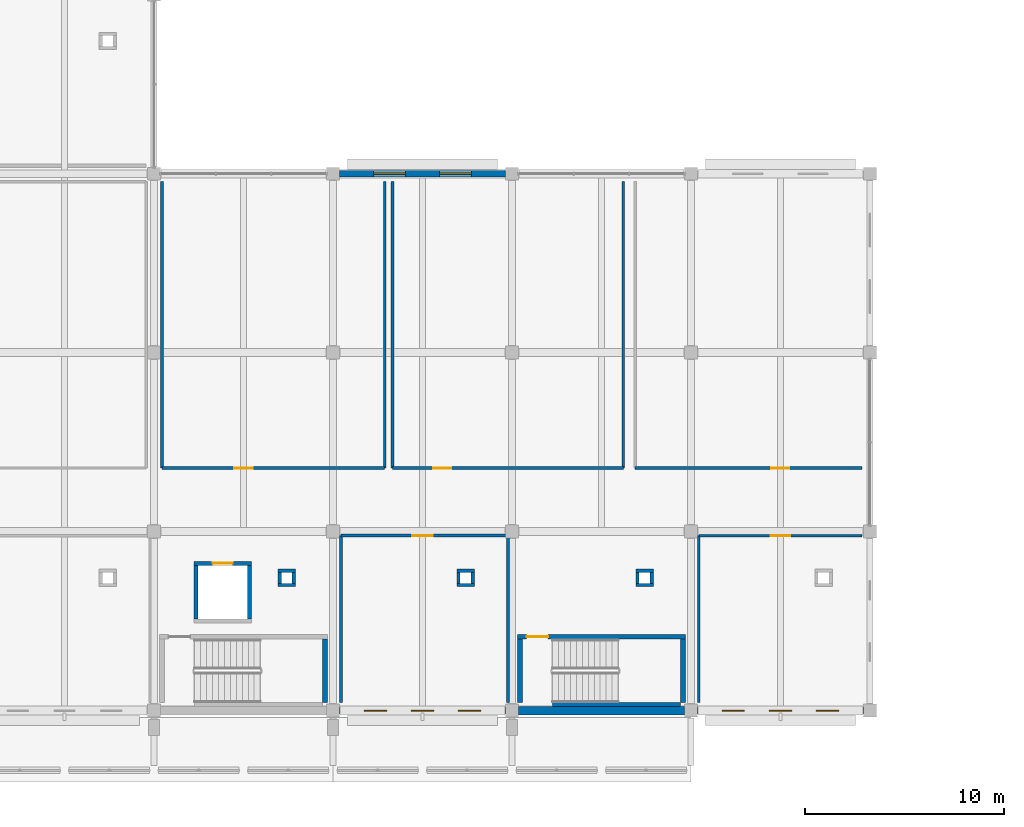
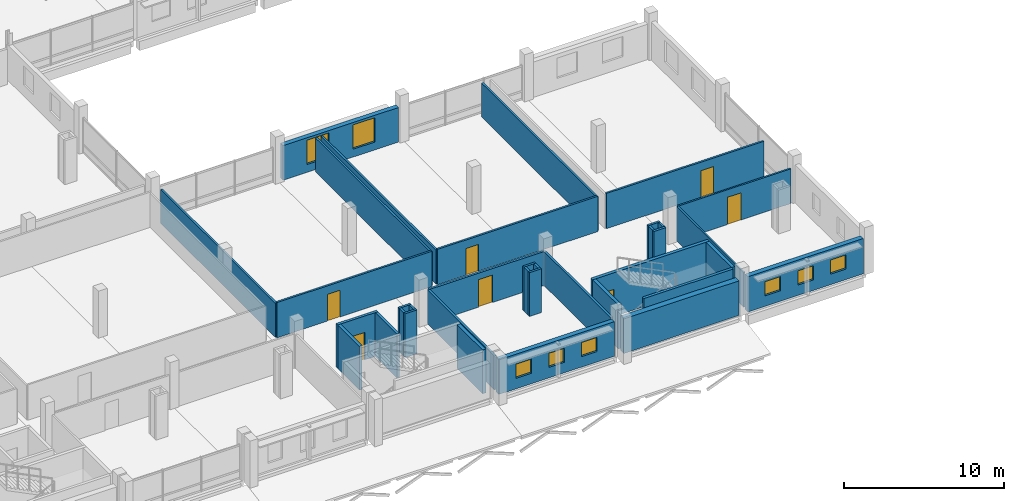
# One storey, part 104 of 132: 36 walls, 8 windows, 7 doors, 15 openings.
"""IFC4 building model written with IfcOpenShell, lengths in metres."""

from ifc_helpers import new_model, si_unit, direction, frame, frame_2d, origin, place, context, subcontext, project, spatial, rectangle, extrude, material, layer, layer_set, type_object, element, fill, save


model = new_model("IFC4")

# Units and contexts
model_context = context("Model", 3, precision=1e-05, world=origin(), true_north=direction((0.0, 1.0)))
body_context = subcontext(model_context, "Body", "Model", "MODEL_VIEW")
ifc_project = project(units=[si_unit("LENGTHUNIT", "METRE"), si_unit("AREAUNIT", "SQUARE_METRE"), si_unit("VOLUMEUNIT", "CUBIC_METRE"), si_unit("PLANEANGLEUNIT", "RADIAN"), si_unit("MASSUNIT", "GRAM", prefix="KILO")], contexts=[model_context])

# Site, building, storey
site_placement = place(None, origin())
site = spatial("IfcSite", under=ifc_project, at=site_placement, CompositionType="ELEMENT")
building_placement = place(site_placement, origin())
building = spatial("IfcBuilding", under=site, at=building_placement, Name="Tharagai Park Tramway Depot", CompositionType="ELEMENT")
storey_placement = place(building_placement, frame((0.0, 0.0, 4.800048828125)))
storey = spatial("IfcBuildingStorey", under=building, at=storey_placement, Name="L01", CompositionType="ELEMENT", Elevation=4.800048828125)

# Wall, openings, windows
ifc_material_1 = material(Name="Pressed clay brick", Category="masonry")
ifc_layer_1 = layer(ifc_material_1, 0.340087890625)
ifc_layer_set_1 = layer_set([ifc_layer_1], Name="Pressed clay brick")
wall_type_1 = type_object("IfcWallType", Name="EW-04", PredefinedType="SOLIDWALL", material=ifc_layer_set_1)
wall_1_placement = place(storey_placement, frame((72.322998046875, 0.0, 0.0), z_axis=(0.0, 0.0, 1.0), x_axis=(1.0, 0.0, 0.0)))
wall_1 = element("IfcWall", 1, at=wall_1_placement, inside=storey, type_object=wall_type_1, Name="L01 V4 Exterior Masonry Wall EW-04", PredefinedType="SOLIDWALL", context=body_context, shape_type="SweptSolid", body=[
    extrude(rectangle(XDim=8.35400390625, YDim=0.340087890625, at=frame_2d((4.177001953125, 0.0))), origin(), (0.0, 0.0, 1.0), 2.641845703125),
])
opening_1_placement = place(wall_1_placement, frame((1.2490234375, 0.0, 0.800048828125)))
opening_1 = element("IfcOpeningElement", 2, at=opening_1_placement, cuts=wall_1, Name="Opening WN-24", PredefinedType="OPENING", context=body_context, shape_type="SweptSolid", body=[
    extrude(rectangle(XDim=1.1201171875, YDim=1.080078125, at=frame_2d((0.56005859375, 0.5400390625))), frame((0.0, 0.179931640625, 0.0), z_axis=(0.0, -1.0, 0.0), x_axis=(1.0, 0.0, 0.0)), (0.0, 0.0, 1.0), 0.360107421875),
])
opening_2_placement = place(wall_1_placement, frame((3.616943359375, 0.0, 0.800048828125)))
opening_2 = element("IfcOpeningElement", 3, at=opening_2_placement, cuts=wall_1, Name="Opening WN-24", PredefinedType="OPENING", context=body_context, shape_type="SweptSolid", body=[
    extrude(rectangle(XDim=1.1201171875, YDim=1.080078125, at=frame_2d((0.56005859375, 0.5400390625))), frame((0.0, 0.179931640625, 0.0), z_axis=(0.0, -1.0, 0.0), x_axis=(1.0, 0.0, 0.0)), (0.0, 0.0, 1.0), 0.360107421875),
])
opening_3_placement = place(wall_1_placement, frame((5.986083984375, 0.0, 0.800048828125)))
opening_3 = element("IfcOpeningElement", 4, at=opening_3_placement, cuts=wall_1, Name="Opening WN-24", PredefinedType="OPENING", context=body_context, shape_type="SweptSolid", body=[
    extrude(rectangle(XDim=1.1201171875, YDim=1.080078125, at=frame_2d((0.56005859375, 0.5400390625))), frame((0.0, 0.179931640625, 0.0), z_axis=(0.0, -1.0, 0.0), x_axis=(1.0, 0.0, 0.0)), (0.0, 0.0, 1.0), 0.360107421875),
])
ifc_material_2 = material(Name="Laminated solar-control glass", Category="glass")
window_type_1 = type_object("IfcWindowType", Name="WN-24", PartitioningType="SINGLE_PANEL", PredefinedType="WINDOW", material=ifc_material_2)
window_1_placement = place(opening_1_placement, origin())
window_1 = element("IfcWindow", 5, at=window_1_placement, inside=storey, type_object=window_type_1, Name="L01 V4 Gothic Lancet Window WN-24", OverallHeight=1.080078125, OverallWidth=1.1201171875, PartitioningType="SINGLE_PANEL", PredefinedType="WINDOW", context=body_context, shape_type="SweptSolid", body=[
    extrude(rectangle(XDim=1.1201171875, YDim=1.080078125, at=frame_2d((0.56005859375, 0.5400390625))), frame((0.0, 0.030029296875, 0.0), z_axis=(0.0, -1.0, 0.0), x_axis=(1.0, 0.0, 0.0)), (0.0, 0.0, 1.0), 0.06005859375),
])
fill(opening_1, window_1)
window_2_placement = place(opening_2_placement, origin())
window_2 = element("IfcWindow", 6, at=window_2_placement, inside=storey, type_object=window_type_1, Name="L01 V4 Gothic Lancet Window WN-24", OverallHeight=1.080078125, OverallWidth=1.1201171875, PartitioningType="SINGLE_PANEL", PredefinedType="WINDOW", context=body_context, shape_type="SweptSolid", body=[
    extrude(rectangle(XDim=1.1201171875, YDim=1.080078125, at=frame_2d((0.56005859375, 0.5400390625))), frame((0.0, 0.030029296875, 0.0), z_axis=(0.0, -1.0, 0.0), x_axis=(1.0, 0.0, 0.0)), (0.0, 0.0, 1.0), 0.06005859375),
])
fill(opening_2, window_2)
window_3_placement = place(opening_3_placement, origin())
window_3 = element("IfcWindow", 7, at=window_3_placement, inside=storey, type_object=window_type_1, Name="L01 V4 Gothic Lancet Window WN-24", OverallHeight=1.080078125, OverallWidth=1.1201171875, PartitioningType="SINGLE_PANEL", PredefinedType="WINDOW", context=body_context, shape_type="SweptSolid", body=[
    extrude(rectangle(XDim=1.1201171875, YDim=1.080078125, at=frame_2d((0.56005859375, 0.5400390625))), frame((0.0, 0.030029296875, 0.0), z_axis=(0.0, -1.0, 0.0), x_axis=(1.0, 0.0, 0.0)), (0.0, 0.0, 1.0), 0.06005859375),
])
fill(opening_3, window_3)

wall_2_placement = place(storey_placement, frame((90.322998046875, 0.0, 0.0), z_axis=(0.0, 0.0, 1.0), x_axis=(1.0, 0.0, 0.0)))
wall_2 = element("IfcWall", 8, at=wall_2_placement, inside=storey, type_object=wall_type_1, Name="L01 V4 Exterior Masonry Wall EW-04", PredefinedType="SOLIDWALL", context=body_context, shape_type="SweptSolid", body=[
    extrude(rectangle(XDim=8.35400390625, YDim=0.340087890625, at=frame_2d((4.177001953125, 0.0))), origin(), (0.0, 0.0, 1.0), 2.701904296875),
])
opening_4_placement = place(wall_2_placement, frame((1.2490234375, 0.0, 0.800048828125)))
opening_4 = element("IfcOpeningElement", 9, at=opening_4_placement, cuts=wall_2, Name="Opening WN-24", PredefinedType="OPENING", context=body_context, shape_type="SweptSolid", body=[
    extrude(rectangle(XDim=1.1201171875, YDim=1.080078125, at=frame_2d((0.56005859375, 0.5400390625))), frame((0.0, 0.179931640625, 0.0), z_axis=(0.0, -1.0, 0.0), x_axis=(1.0, 0.0, 0.0)), (0.0, 0.0, 1.0), 0.360107421875),
])
opening_5_placement = place(wall_2_placement, frame((3.616943359375, 0.0, 0.800048828125)))
opening_5 = element("IfcOpeningElement", 10, at=opening_5_placement, cuts=wall_2, Name="Opening WN-24", PredefinedType="OPENING", context=body_context, shape_type="SweptSolid", body=[
    extrude(rectangle(XDim=1.1201171875, YDim=1.080078125, at=frame_2d((0.56005859375, 0.5400390625))), frame((0.0, 0.179931640625, 0.0), z_axis=(0.0, -1.0, 0.0), x_axis=(1.0, 0.0, 0.0)), (0.0, 0.0, 1.0), 0.360107421875),
])
opening_6_placement = place(wall_2_placement, frame((5.986083984375, 0.0, 0.800048828125)))
opening_6 = element("IfcOpeningElement", 11, at=opening_6_placement, cuts=wall_2, Name="Opening WN-24", PredefinedType="OPENING", context=body_context, shape_type="SweptSolid", body=[
    extrude(rectangle(XDim=1.1201171875, YDim=1.080078125, at=frame_2d((0.56005859375, 0.5400390625))), frame((0.0, 0.179931640625, 0.0), z_axis=(0.0, -1.0, 0.0), x_axis=(1.0, 0.0, 0.0)), (0.0, 0.0, 1.0), 0.360107421875),
])
window_4_placement = place(opening_4_placement, origin())
window_4 = element("IfcWindow", 12, at=window_4_placement, inside=storey, type_object=window_type_1, Name="L01 V4 Gothic Lancet Window WN-24", OverallHeight=1.080078125, OverallWidth=1.1201171875, PartitioningType="SINGLE_PANEL", PredefinedType="WINDOW", context=body_context, shape_type="SweptSolid", body=[
    extrude(rectangle(XDim=1.1201171875, YDim=1.080078125, at=frame_2d((0.56005859375, 0.5400390625))), frame((0.0, 0.030029296875, 0.0), z_axis=(0.0, -1.0, 0.0), x_axis=(1.0, 0.0, 0.0)), (0.0, 0.0, 1.0), 0.06005859375),
])
fill(opening_4, window_4)
window_5_placement = place(opening_5_placement, origin())
window_5 = element("IfcWindow", 13, at=window_5_placement, inside=storey, type_object=window_type_1, Name="L01 V4 Gothic Lancet Window WN-24", OverallHeight=1.080078125, OverallWidth=1.1201171875, PartitioningType="SINGLE_PANEL", PredefinedType="WINDOW", context=body_context, shape_type="SweptSolid", body=[
    extrude(rectangle(XDim=1.1201171875, YDim=1.080078125, at=frame_2d((0.56005859375, 0.5400390625))), frame((0.0, 0.030029296875, 0.0), z_axis=(0.0, -1.0, 0.0), x_axis=(1.0, 0.0, 0.0)), (0.0, 0.0, 1.0), 0.06005859375),
])
fill(opening_5, window_5)
window_6_placement = place(opening_6_placement, origin())
window_6 = element("IfcWindow", 14, at=window_6_placement, inside=storey, type_object=window_type_1, Name="L01 V4 Gothic Lancet Window WN-24", OverallHeight=1.080078125, OverallWidth=1.1201171875, PartitioningType="SINGLE_PANEL", PredefinedType="WINDOW", context=body_context, shape_type="SweptSolid", body=[
    extrude(rectangle(XDim=1.1201171875, YDim=1.080078125, at=frame_2d((0.56005859375, 0.5400390625))), frame((0.0, 0.030029296875, 0.0), z_axis=(0.0, -1.0, 0.0), x_axis=(1.0, 0.0, 0.0)), (0.0, 0.0, 1.0), 0.06005859375),
])
fill(opening_6, window_6)

wall_3_placement = place(storey_placement, frame((72.322998046875, 27.0, 0.0), z_axis=(0.0, 0.0, 1.0), x_axis=(1.0, 0.0, 0.0)))
wall_3 = element("IfcWall", 15, at=wall_3_placement, inside=storey, type_object=wall_type_1, Name="L01 V4 Exterior Masonry Wall EW-04", PredefinedType="SOLIDWALL", context=body_context, shape_type="SweptSolid", body=[
    extrude(rectangle(XDim=8.35400390625, YDim=0.340087890625, at=frame_2d((4.177001953125, 0.0))), origin(), (0.0, 0.0, 1.0), 2.641845703125),
])
opening_7_placement = place(wall_3_placement, frame((1.718017578125, 0.0, 0.60009765625)))
opening_7 = element("IfcOpeningElement", 16, at=opening_7_placement, cuts=wall_3, Name="Opening WN-55", PredefinedType="OPENING", context=body_context, shape_type="SweptSolid", body=[
    extrude(rectangle(XDim=1.60009765625, YDim=1.860107421875, at=frame_2d((0.800048828125, 0.93017578125))), frame((0.0, 0.179931640625, 0.0), z_axis=(0.0, -1.0, 0.0), x_axis=(1.0, 0.0, 0.0)), (0.0, 0.0, 1.0), 0.360107421875),
])
opening_8_placement = place(wall_3_placement, frame((5.035888671875, 0.0, 0.60009765625)))
opening_8 = element("IfcOpeningElement", 17, at=opening_8_placement, cuts=wall_3, Name="Opening WN-55", PredefinedType="OPENING", context=body_context, shape_type="SweptSolid", body=[
    extrude(rectangle(XDim=1.60009765625, YDim=1.860107421875, at=frame_2d((0.800048828125, 0.93017578125))), frame((0.0, 0.179931640625, 0.0), z_axis=(0.0, -1.0, 0.0), x_axis=(1.0, 0.0, 0.0)), (0.0, 0.0, 1.0), 0.360107421875),
])
window_type_2 = type_object("IfcWindowType", Name="WN-55", PartitioningType="SINGLE_PANEL", PredefinedType="WINDOW", material=ifc_material_2)
window_7_placement = place(opening_7_placement, origin())
window_7 = element("IfcWindow", 18, at=window_7_placement, inside=storey, type_object=window_type_2, Name="L01 V4 Gothic Lancet Window WN-55", OverallHeight=1.860107421875, OverallWidth=1.60009765625, PartitioningType="SINGLE_PANEL", PredefinedType="WINDOW", context=body_context, shape_type="SweptSolid", body=[
    extrude(rectangle(XDim=1.60009765625, YDim=1.860107421875, at=frame_2d((0.800048828125, 0.93017578125))), frame((0.0, 0.030029296875, 0.0), z_axis=(0.0, -1.0, 0.0), x_axis=(1.0, 0.0, 0.0)), (0.0, 0.0, 1.0), 0.06005859375),
])
fill(opening_7, window_7)
window_8_placement = place(opening_8_placement, origin())
window_8 = element("IfcWindow", 19, at=window_8_placement, inside=storey, type_object=window_type_2, Name="L01 V4 Gothic Lancet Window WN-55", OverallHeight=1.860107421875, OverallWidth=1.60009765625, PartitioningType="SINGLE_PANEL", PredefinedType="WINDOW", context=body_context, shape_type="SweptSolid", body=[
    extrude(rectangle(XDim=1.60009765625, YDim=1.860107421875, at=frame_2d((0.800048828125, 0.93017578125))), frame((0.0, 0.030029296875, 0.0), z_axis=(0.0, -1.0, 0.0), x_axis=(1.0, 0.0, 0.0)), (0.0, 0.0, 1.0), 0.06005859375),
])
fill(opening_8, window_8)

# Wall
ifc_material_3 = material(Name="Charnockite stone", Category="masonry")
ifc_layer_2 = layer(ifc_material_3, 0.419921875)
ifc_layer_set_2 = layer_set([ifc_layer_2], Name="Charnockite stone")
wall_type_2 = type_object("IfcWallType", Name="EW-07", PredefinedType="SOLIDWALL", material=ifc_layer_set_2)
wall_4_placement = place(storey_placement, frame((81.322998046875, 0.0, 0.0), z_axis=(0.0, 0.0, 1.0), x_axis=(1.0, 0.0, 0.0)))
element("IfcWall", 20, at=wall_4_placement, inside=storey, type_object=wall_type_2, Name="L01 V4 Exterior Masonry Wall EW-07", PredefinedType="SOLIDWALL", context=body_context, shape_type="SweptSolid", body=[
    extrude(rectangle(XDim=8.35400390625, YDim=0.419921875, at=frame_2d((4.177001953125, 0.0))), origin(), (0.0, 0.0, 1.0), 2.641845703125),
])

# Wall, opening, door
ifc_layer_3 = layer(ifc_material_1, 0.139892578125)
ifc_layer_set_3 = layer_set([ifc_layer_3], Name="Pressed clay brick")
wall_type_3 = type_object("IfcWallType", Name="IW-01", PredefinedType="PARTITIONING", material=ifc_layer_set_3)
wall_5_placement = place(storey_placement, frame((63.39990234375, 12.199951171875, 0.0), z_axis=(0.0, 0.0, 1.0), x_axis=(1.0, 0.0, 0.0)))
wall_5 = element("IfcWall", 21, at=wall_5_placement, inside=storey, type_object=wall_type_3, Name="First Floor Male WC Partition South", PredefinedType="PARTITIONING", context=body_context, shape_type="SweptSolid", body=[
    extrude(rectangle(XDim=11.2001953125, YDim=0.139892578125, at=frame_2d((5.60009765625, 0.0))), origin(), (0.0, 0.0, 1.0), 2.695068359375),
])
opening_9_placement = place(wall_5_placement, frame((3.64501953125, 0.0, 0.0)))
opening_9 = element("IfcOpeningElement", 22, at=opening_9_placement, cuts=wall_5, Name="Opening ID-08", PredefinedType="OPENING", context=body_context, shape_type="SweptSolid", body=[
    extrude(rectangle(XDim=0.909912109375, YDim=2.0400390625, at=frame_2d((0.455078125, 1.02001953125))), frame((0.0, 0.079833984375, 0.0), z_axis=(0.0, -1.0, 0.0), x_axis=(1.0, 0.0, 0.0)), (0.0, 0.0, 1.0), 0.159912109375),
])
ifc_material_4 = material(Name="Pressed timber", Category="wood")
door_type_1 = type_object("IfcDoorType", Name="ID-08", OperationType="NOTDEFINED", PredefinedType="DOOR", material=ifc_material_4)
door_1_placement = place(opening_9_placement, frame((0.909912109375, 0.0, 0.0), z_axis=(0.0, 0.0, 1.0), x_axis=(-1.0, 0.0, 0.0)))
door_1 = element("IfcDoor", 23, at=door_1_placement, inside=storey, type_object=door_type_1, Name="First Floor Male WC Door", OperationType="SINGLE_SWING_RIGHT", OverallHeight=2.0400390625, OverallWidth=0.909912109375, PredefinedType="DOOR", context=body_context, shape_type="SweptSolid", body=[
    extrude(rectangle(XDim=0.909912109375, YDim=2.0400390625, at=frame_2d((0.455078125, 1.02001953125))), frame((0.0, 0.02490234375, 0.0), z_axis=(0.0, -1.0, 0.0), x_axis=(1.0, 0.0, 0.0)), (0.0, 0.0, 1.0), 0.050048828125),
])
fill(opening_9, door_1)

# Walls
for number, where, z_axis, x_axis, name in (
    (24, (63.39990234375, 12.199951171875, 0.0), (0.0, 0.0, 1.0), (0.0, 1.0, 0.0), "First Floor Male WC Partition West"),
    (25, (74.60009765625, 12.199951171875, 0.0), (0.0, 0.0, 1.0), (0.0, 1.0, 0.0), "First Floor Male WC Partition East"),
):
    element("IfcWall", number, at=place(storey_placement, frame(where, z_axis=z_axis, x_axis=x_axis)), inside=storey, type_object=wall_type_3, Name=name, PredefinedType="PARTITIONING", context=body_context, shape_type="SweptSolid", body=[
        extrude(rectangle(XDim=14.400146484375, YDim=0.139892578125, at=frame_2d((7.2001953125, 0.0))), origin(), (0.0, 0.0, 1.0), 2.594970703125),
    ])

# Wall, opening, door
wall_6_placement = place(storey_placement, frame((75.0, 12.199951171875, 0.0), z_axis=(0.0, 0.0, 1.0), x_axis=(1.0, 0.0, 0.0)))
wall_6 = element("IfcWall", 26, at=wall_6_placement, inside=storey, type_object=wall_type_3, Name="First Floor Female WC Partition South", PredefinedType="PARTITIONING", context=body_context, shape_type="SweptSolid", body=[
    extrude(rectangle(XDim=11.60009765625, YDim=0.139892578125, at=frame_2d((5.800048828125, 0.0))), origin(), (0.0, 0.0, 1.0), 2.695068359375),
])
opening_10_placement = place(wall_6_placement, frame((2.044921875, 0.0, 0.0)))
opening_10 = element("IfcOpeningElement", 27, at=opening_10_placement, cuts=wall_6, Name="Opening ID-08", PredefinedType="OPENING", context=body_context, shape_type="SweptSolid", body=[
    extrude(rectangle(XDim=0.909912109375, YDim=2.0400390625, at=frame_2d((0.455078125, 1.02001953125))), frame((0.0, 0.079833984375, 0.0), z_axis=(0.0, -1.0, 0.0), x_axis=(1.0, 0.0, 0.0)), (0.0, 0.0, 1.0), 0.159912109375),
])
door_2_placement = place(opening_10_placement, frame((0.909912109375, 0.0, 0.0), z_axis=(0.0, 0.0, 1.0), x_axis=(-1.0, 0.0, 0.0)))
door_2 = element("IfcDoor", 28, at=door_2_placement, inside=storey, type_object=door_type_1, Name="First Floor Female WC Door", OperationType="SINGLE_SWING_LEFT", OverallHeight=2.0400390625, OverallWidth=0.909912109375, PredefinedType="DOOR", context=body_context, shape_type="SweptSolid", body=[
    extrude(rectangle(XDim=0.909912109375, YDim=2.0400390625, at=frame_2d((0.455078125, 1.02001953125))), frame((0.0, 0.02490234375, 0.0), z_axis=(0.0, -1.0, 0.0), x_axis=(1.0, 0.0, 0.0)), (0.0, 0.0, 1.0), 0.050048828125),
])
fill(opening_10, door_2)

# Walls
for number, where, z_axis, x_axis, name in (
    (29, (75.0, 12.199951171875, 0.0), (0.0, 0.0, 1.0), (0.0, 1.0, 0.0), "First Floor Female WC Partition West"),
    (30, (86.60009765625, 12.199951171875, 0.0), (0.0, 0.0, 1.0), (0.0, 1.0, 0.0), "First Floor Female WC Partition East"),
):
    element("IfcWall", number, at=place(storey_placement, frame(where, z_axis=z_axis, x_axis=x_axis)), inside=storey, type_object=wall_type_3, Name=name, PredefinedType="PARTITIONING", context=body_context, shape_type="SweptSolid", body=[
        extrude(rectangle(XDim=14.400146484375, YDim=0.139892578125, at=frame_2d((7.2001953125, 0.0))), origin(), (0.0, 0.0, 1.0), 2.594970703125),
    ])

# Wall, opening, door
wall_7_placement = place(storey_placement, frame((87.199951171875, 12.199951171875, 0.0), z_axis=(0.0, 0.0, 1.0), x_axis=(1.0, 0.0, 0.0)))
wall_7 = element("IfcWall", 31, at=wall_7_placement, inside=storey, type_object=wall_type_3, Name="First Floor Accessible WC Partition South", PredefinedType="PARTITIONING", context=body_context, shape_type="SweptSolid", body=[
    extrude(rectangle(XDim=11.400146484375, YDim=0.139892578125, at=frame_2d((5.7001953125, 0.0))), origin(), (0.0, 0.0, 1.0), 2.695068359375),
])
opening_11_placement = place(wall_7_placement, frame((6.844970703125, 0.0, 0.0)))
opening_11 = element("IfcOpeningElement", 32, at=opening_11_placement, cuts=wall_7, Name="Opening ID-08", PredefinedType="OPENING", context=body_context, shape_type="SweptSolid", body=[
    extrude(rectangle(XDim=0.909912109375, YDim=2.0400390625, at=frame_2d((0.455078125, 1.02001953125))), frame((0.0, 0.079833984375, 0.0), z_axis=(0.0, -1.0, 0.0), x_axis=(1.0, 0.0, 0.0)), (0.0, 0.0, 1.0), 0.159912109375),
])
door_3_placement = place(opening_11_placement, frame((0.909912109375, 0.0, 0.0), z_axis=(0.0, 0.0, 1.0), x_axis=(-1.0, 0.0, 0.0)))
door_3 = element("IfcDoor", 33, at=door_3_placement, inside=storey, type_object=door_type_1, Name="First Floor Accessible WC Door", OperationType="SINGLE_SWING_RIGHT", OverallHeight=2.0400390625, OverallWidth=0.909912109375, PredefinedType="DOOR", context=body_context, shape_type="SweptSolid", body=[
    extrude(rectangle(XDim=0.909912109375, YDim=2.0400390625, at=frame_2d((0.455078125, 1.02001953125))), frame((0.0, 0.02490234375, 0.0), z_axis=(0.0, -1.0, 0.0), x_axis=(1.0, 0.0, 0.0)), (0.0, 0.0, 1.0), 0.050048828125),
])
fill(opening_11, door_3)

# Walls
ifc_layer_4 = layer(ifc_material_1, 0.159912109375)
ifc_layer_set_4 = layer_set([ifc_layer_4], Name="Pressed clay brick")
wall_type_4 = type_object("IfcWallType", Name="IW-02", PredefinedType="PARTITIONING", material=ifc_layer_set_4)
for number, where, z_axis, x_axis, name in (
    (34, (69.239990234375, 6.320068359375, 0.0), (0.0, 0.0, 1.0), (1.0, 0.0, 0.0), "L01 Pipe Riser Enclosure Wall 20 S"),
    (35, (69.239990234375, 7.030029296875, 0.0), (0.0, 0.0, 1.0), (1.0, 0.0, 0.0), "L01 Pipe Riser Enclosure Wall 20 N"),
):
    element("IfcWall", number, at=place(storey_placement, frame(where, z_axis=z_axis, x_axis=x_axis)), inside=storey, type_object=wall_type_4, Name=name, PredefinedType="PARTITIONING", context=body_context, shape_type="SweptSolid", body=[
        extrude(rectangle(XDim=0.8701171875, YDim=0.159912109375, at=frame_2d((0.43505859375, 0.0))), origin(), (0.0, 0.0, 1.0), 3.349853515625),
    ])
for number, where, z_axis, x_axis, name in (
    (36, (69.320068359375, 6.39990234375, 0.0), (0.0, 0.0, 1.0), (0.0, 1.0, 0.0), "L01 Pipe Riser Enclosure Wall 20 W"),
    (37, (70.030029296875, 6.39990234375, 0.0), (0.0, 0.0, 1.0), (0.0, 1.0, 0.0), "L01 Pipe Riser Enclosure Wall 20 E"),
):
    element("IfcWall", number, at=place(storey_placement, frame(where, z_axis=z_axis, x_axis=x_axis)), inside=storey, type_object=wall_type_4, Name=name, PredefinedType="PARTITIONING", context=body_context, shape_type="SweptSolid", body=[
        extrude(rectangle(XDim=0.550048828125, YDim=0.159912109375, at=frame_2d((0.27490234375, 0.0))), origin(), (0.0, 0.0, 1.0), 3.349853515625),
    ])
for number, where, z_axis, x_axis, name in (
    (38, (78.239990234375, 6.320068359375, 0.0), (0.0, 0.0, 1.0), (1.0, 0.0, 0.0), "L01 Pipe Riser Enclosure Wall 21 S"),
    (39, (78.239990234375, 7.030029296875, 0.0), (0.0, 0.0, 1.0), (1.0, 0.0, 0.0), "L01 Pipe Riser Enclosure Wall 21 N"),
):
    element("IfcWall", number, at=place(storey_placement, frame(where, z_axis=z_axis, x_axis=x_axis)), inside=storey, type_object=wall_type_4, Name=name, PredefinedType="PARTITIONING", context=body_context, shape_type="SweptSolid", body=[
        extrude(rectangle(XDim=0.8701171875, YDim=0.159912109375, at=frame_2d((0.43505859375, 0.0))), origin(), (0.0, 0.0, 1.0), 3.349853515625),
    ])
for number, where, z_axis, x_axis, name in (
    (40, (78.320068359375, 6.39990234375, 0.0), (0.0, 0.0, 1.0), (0.0, 1.0, 0.0), "L01 Pipe Riser Enclosure Wall 21 W"),
    (41, (79.030029296875, 6.39990234375, 0.0), (0.0, 0.0, 1.0), (0.0, 1.0, 0.0), "L01 Pipe Riser Enclosure Wall 21 E"),
):
    element("IfcWall", number, at=place(storey_placement, frame(where, z_axis=z_axis, x_axis=x_axis)), inside=storey, type_object=wall_type_4, Name=name, PredefinedType="PARTITIONING", context=body_context, shape_type="SweptSolid", body=[
        extrude(rectangle(XDim=0.550048828125, YDim=0.159912109375, at=frame_2d((0.27490234375, 0.0))), origin(), (0.0, 0.0, 1.0), 3.349853515625),
    ])
for number, where, z_axis, x_axis, name in (
    (42, (87.239990234375, 6.320068359375, 0.0), (0.0, 0.0, 1.0), (1.0, 0.0, 0.0), "L01 Pipe Riser Enclosure Wall 22 S"),
    (43, (87.239990234375, 7.030029296875, 0.0), (0.0, 0.0, 1.0), (1.0, 0.0, 0.0), "L01 Pipe Riser Enclosure Wall 22 N"),
):
    element("IfcWall", number, at=place(storey_placement, frame(where, z_axis=z_axis, x_axis=x_axis)), inside=storey, type_object=wall_type_4, Name=name, PredefinedType="PARTITIONING", context=body_context, shape_type="SweptSolid", body=[
        extrude(rectangle(XDim=0.8701171875, YDim=0.159912109375, at=frame_2d((0.43505859375, 0.0))), origin(), (0.0, 0.0, 1.0), 3.349853515625),
    ])
for number, where, z_axis, x_axis, name in (
    (44, (87.320068359375, 6.39990234375, 0.0), (0.0, 0.0, 1.0), (0.0, 1.0, 0.0), "L01 Pipe Riser Enclosure Wall 22 W"),
    (45, (88.030029296875, 6.39990234375, 0.0), (0.0, 0.0, 1.0), (0.0, 1.0, 0.0), "L01 Pipe Riser Enclosure Wall 22 E"),
):
    element("IfcWall", number, at=place(storey_placement, frame(where, z_axis=z_axis, x_axis=x_axis)), inside=storey, type_object=wall_type_4, Name=name, PredefinedType="PARTITIONING", context=body_context, shape_type="SweptSolid", body=[
        extrude(rectangle(XDim=0.550048828125, YDim=0.159912109375, at=frame_2d((0.27490234375, 0.0))), origin(), (0.0, 0.0, 1.0), 3.349853515625),
    ])

# Wall, opening, door
wall_8_placement = place(storey_placement, frame((72.39990234375, 8.800048828125, 0.0), z_axis=(0.0, 0.0, 1.0), x_axis=(1.0, 0.0, 0.0)))
wall_8 = element("IfcWall", 46, at=wall_8_placement, inside=storey, type_object=wall_type_4, Name="Engineering Drawings and Technical Archive Partition North", PredefinedType="PARTITIONING", context=body_context, shape_type="SweptSolid", body=[
    extrude(rectangle(XDim=8.400146484375, YDim=0.159912109375, at=frame_2d((4.2001953125, 0.0))), origin(), (0.0, 0.0, 1.0), 2.594970703125),
])
opening_12_placement = place(wall_8_placement, frame((3.590087890625, 0.0, 0.0)))
opening_12 = element("IfcOpeningElement", 47, at=opening_12_placement, cuts=wall_8, Name="Opening ID-12", PredefinedType="OPENING", context=body_context, shape_type="SweptSolid", body=[
    extrude(rectangle(XDim=1.02001953125, YDim=2.10009765625, at=frame_2d((0.510009765625, 1.050048828125))), frame((0.0, 0.08984375, 0.0), z_axis=(0.0, -1.0, 0.0), x_axis=(1.0, 0.0, 0.0)), (0.0, 0.0, 1.0), 0.179931640625),
])
door_type_2 = type_object("IfcDoorType", Name="ID-12", OperationType="NOTDEFINED", PredefinedType="DOOR", material=ifc_material_4)
door_4_placement = place(opening_12_placement, origin())
door_4 = element("IfcDoor", 48, at=door_4_placement, inside=storey, type_object=door_type_2, Name="Engineering Drawings and Technical Archive Door", OperationType="SINGLE_SWING_LEFT", OverallHeight=2.10009765625, OverallWidth=1.02001953125, PredefinedType="DOOR", context=body_context, shape_type="SweptSolid", body=[
    extrude(rectangle(XDim=1.02001953125, YDim=2.10009765625, at=frame_2d((0.510009765625, 1.050048828125))), frame((0.0, 0.02490234375, 0.0), z_axis=(0.0, -1.0, 0.0), x_axis=(1.0, 0.0, 0.0)), (0.0, 0.0, 1.0), 0.050048828125),
])
fill(opening_12, door_4)

# Walls
for number, where, z_axis, x_axis, name in (
    (49, (72.39990234375, 0.39990234375, 0.0), (0.0, 0.0, 1.0), (0.0, 1.0, 0.0), "Engineering Drawings and Technical Archive Partition West"),
    (50, (80.800048828125, 0.39990234375, 0.0), (0.0, 0.0, 1.0), (0.0, 1.0, 0.0), "Engineering Drawings and Technical Archive Partition East"),
):
    element("IfcWall", number, at=place(storey_placement, frame(where, z_axis=z_axis, x_axis=x_axis)), inside=storey, type_object=wall_type_4, Name=name, PredefinedType="PARTITIONING", context=body_context, shape_type="SweptSolid", body=[
        extrude(rectangle(XDim=8.400146484375, YDim=0.159912109375, at=frame_2d((4.2001953125, 0.0))), origin(), (0.0, 0.0, 1.0), 2.594970703125),
    ])

# Wall, opening, door
ifc_material_5 = material(Name="Gypsum board", Category="gypsum")
ifc_layer_5 = layer(ifc_material_5, 0.1201171875)
ifc_layer_set_5 = layer_set([ifc_layer_5], Name="Gypsum board")
wall_type_5 = type_object("IfcWallType", Name="IW-03", PredefinedType="PARTITIONING", material=ifc_layer_set_5)
wall_9_placement = place(storey_placement, frame((90.39990234375, 8.800048828125, 0.0), z_axis=(0.0, 0.0, 1.0), x_axis=(1.0, 0.0, 0.0)))
wall_9 = element("IfcWall", 51, at=wall_9_placement, inside=storey, type_object=wall_type_5, Name="Trackway Asset BIM Office Partition North", PredefinedType="PARTITIONING", context=body_context, shape_type="SweptSolid", body=[
    extrude(rectangle(XDim=8.2001953125, YDim=0.1201171875, at=frame_2d((4.10009765625, 0.0))), origin(), (0.0, 0.0, 1.0), 2.655029296875),
])
opening_13_placement = place(wall_9_placement, frame((3.610107421875, 0.0, 0.0)))
opening_13 = element("IfcOpeningElement", 52, at=opening_13_placement, cuts=wall_9, Name="Opening ID-02", PredefinedType="OPENING", context=body_context, shape_type="SweptSolid", body=[
    extrude(rectangle(XDim=0.97998046875, YDim=2.080078125, at=frame_2d((0.489990234375, 1.0400390625))), frame((0.0, 0.070068359375, 0.0), z_axis=(0.0, -1.0, 0.0), x_axis=(1.0, 0.0, 0.0)), (0.0, 0.0, 1.0), 0.14013671875),
])
door_type_3 = type_object("IfcDoorType", Name="ID-02", OperationType="NOTDEFINED", PredefinedType="DOOR", material=ifc_material_4)
door_5_placement = place(opening_13_placement, origin())
door_5 = element("IfcDoor", 53, at=door_5_placement, inside=storey, type_object=door_type_3, Name="Trackway Asset BIM Office Door", OperationType="SINGLE_SWING_RIGHT", OverallHeight=2.080078125, OverallWidth=0.97998046875, PredefinedType="DOOR", context=body_context, shape_type="SweptSolid", body=[
    extrude(rectangle(XDim=0.97998046875, YDim=2.080078125, at=frame_2d((0.489990234375, 1.0400390625))), frame((0.0, 0.02490234375, 0.0), z_axis=(0.0, -1.0, 0.0), x_axis=(1.0, 0.0, 0.0)), (0.0, 0.0, 1.0), 0.050048828125),
])
fill(opening_13, door_5)

# Walls
wall_10_placement = place(storey_placement, frame((90.39990234375, 0.39990234375, 0.0), z_axis=(0.0, 0.0, 1.0), x_axis=(0.0, 1.0, 0.0)))
element("IfcWall", 54, at=wall_10_placement, inside=storey, type_object=wall_type_5, Name="Trackway Asset BIM Office Partition West", PredefinedType="PARTITIONING", context=body_context, shape_type="SweptSolid", body=[
    extrude(rectangle(XDim=8.400146484375, YDim=0.1201171875, at=frame_2d((4.2001953125, 0.0))), origin(), (0.0, 0.0, 1.0), 2.655029296875),
])
ifc_material_6 = material(Name="Concrete M40", Category="concrete")
ifc_layer_6 = layer(ifc_material_6, 0.239990234375)
ifc_layer_set_6 = layer_set([ifc_layer_6], Name="Concrete M40")
wall_type_6 = type_object("IfcWallType", Name="SW-01", PredefinedType="SHEAR", material=ifc_layer_set_6)
wall_11_placement = place(storey_placement, frame((71.60009765625, 0.39990234375, 0.0), z_axis=(0.0, 0.0, 1.0), x_axis=(0.0, 1.0, 0.0)))
element("IfcWall", 55, at=wall_11_placement, inside=storey, type_object=wall_type_6, Name="Core C4 L01 Shear Wall East", PredefinedType="SHEAR", context=body_context, shape_type="SweptSolid", body=[
    extrude(rectangle(XDim=3.190185546875, YDim=0.239990234375, at=frame_2d((1.59521484375, 0.0))), origin(), (0.0, 0.0, 1.0), 3.349853515625),
])

# Wall, opening, door
wall_12_placement = place(storey_placement, frame((81.280029296875, 3.7099609375, 0.0), z_axis=(0.0, 0.0, 1.0), x_axis=(1.0, 0.0, 0.0)))
wall_12 = element("IfcWall", 56, at=wall_12_placement, inside=storey, type_object=wall_type_6, Name="Core C5 L01 Shear Wall North", PredefinedType="SHEAR", context=body_context, shape_type="SweptSolid", body=[
    extrude(rectangle(XDim=8.43994140625, YDim=0.239990234375, at=frame_2d((4.219970703125, 0.0))), origin(), (0.0, 0.0, 1.0), 3.349853515625),
])
opening_14_placement = place(wall_12_placement, frame((0.4599609375, 0.0, 0.0)))
opening_14 = element("IfcOpeningElement", 57, at=opening_14_placement, cuts=wall_12, Name="Opening ID-05", PredefinedType="OPENING", context=body_context, shape_type="SweptSolid", body=[
    extrude(rectangle(XDim=1.080078125, YDim=2.080078125, at=frame_2d((0.5400390625, 1.0400390625))), frame((0.0, 0.1298828125, 0.0), z_axis=(0.0, -1.0, 0.0), x_axis=(1.0, 0.0, 0.0)), (0.0, 0.0, 1.0), 0.260009765625),
])
ifc_material_7 = material(Name="Galvanised steel", Category="steel")
door_type_4 = type_object("IfcDoorType", Name="ID-05", OperationType="NOTDEFINED", PredefinedType="DOOR", material=ifc_material_7)
door_6_placement = place(opening_14_placement, frame((1.080078125, 0.0, 0.0), z_axis=(0.0, 0.0, 1.0), x_axis=(-1.0, 0.0, 0.0)))
door_6 = element("IfcDoor", 58, at=door_6_placement, inside=storey, type_object=door_type_4, Name="Stair ST-05 L01 Fire Door", OperationType="SINGLE_SWING_LEFT", OverallHeight=2.080078125, OverallWidth=1.080078125, PredefinedType="DOOR", context=body_context, shape_type="SweptSolid", body=[
    extrude(rectangle(XDim=1.080078125, YDim=2.080078125, at=frame_2d((0.5400390625, 1.0400390625))), frame((0.0, 0.02490234375, 0.0), z_axis=(0.0, -1.0, 0.0), x_axis=(1.0, 0.0, 0.0)), (0.0, 0.0, 1.0), 0.050048828125),
])
fill(opening_14, door_6)

# Walls
for number, where, z_axis, x_axis, name in (
    (59, (81.39990234375, 0.39990234375, 0.0), (0.0, 0.0, 1.0), (0.0, 1.0, 0.0), "Core C5 L01 Shear Wall West"),
    (60, (89.60009765625, 0.39990234375, 0.0), (0.0, 0.0, 1.0), (0.0, 1.0, 0.0), "Core C5 L01 Shear Wall East"),
):
    element("IfcWall", number, at=place(storey_placement, frame(where, z_axis=z_axis, x_axis=x_axis)), inside=storey, type_object=wall_type_6, Name=name, PredefinedType="SHEAR", context=body_context, shape_type="SweptSolid", body=[
        extrude(rectangle(XDim=3.190185546875, YDim=0.239990234375, at=frame_2d((1.59521484375, 0.0))), origin(), (0.0, 0.0, 1.0), 3.349853515625),
    ])
ifc_layer_7 = layer(ifc_material_6, 0.199951171875)
ifc_layer_set_7 = layer_set([ifc_layer_7], Name="Concrete M40")
wall_type_7 = type_object("IfcWallType", Name="SW-02", PredefinedType="SHEAR", material=ifc_layer_set_7)
wall_13_placement = place(storey_placement, frame((83.0400390625, 0.31494140625, 0.0), z_axis=(0.0, 0.0, 1.0), x_axis=(1.0, 0.0, 0.0)))
element("IfcWall", 61, at=wall_13_placement, inside=storey, type_object=wall_type_7, Name="Core C5 L01 Shear Bearing Liner South", PredefinedType="SHEAR", context=body_context, shape_type="SweptSolid", body=[
    extrude(rectangle(XDim=6.43994140625, YDim=0.199951171875, at=frame_2d((3.219970703125, 0.0))), origin(), (0.0, 0.0, 1.0), 3.349853515625),
])

# Wall, opening, door
wall_14_placement = place(storey_placement, frame((65.0, 7.39990234375, 0.0), z_axis=(0.0, 0.0, 1.0), x_axis=(1.0, 0.0, 0.0)))
wall_14 = element("IfcWall", 62, at=wall_14_placement, inside=storey, type_object=wall_type_7, Name="Lift LP-02 L01 Shaft Wall North", PredefinedType="SHEAR", context=body_context, shape_type="SweptSolid", body=[
    extrude(rectangle(XDim=2.89990234375, YDim=0.199951171875, at=frame_2d((1.449951171875, 0.0))), origin(), (0.0, 0.0, 1.0), 3.349853515625),
])
opening_15_placement = place(wall_14_placement, frame((0.949951171875, 0.0, 0.0)))
opening_15 = element("IfcOpeningElement", 63, at=opening_15_placement, cuts=wall_14, Name="Opening LD-02", PredefinedType="OPENING", context=body_context, shape_type="SweptSolid", body=[
    extrude(rectangle(XDim=1.0, YDim=2.10009765625, at=frame_2d((0.5, 1.050048828125))), frame((0.0, 0.10986328125, 0.0), z_axis=(0.0, -1.0, 0.0), x_axis=(1.0, 0.0, 0.0)), (0.0, 0.0, 1.0), 0.219970703125),
])
ifc_material_8 = material(Name="Anodised aluminium", Category="aluminium")
door_type_5 = type_object("IfcDoorType", Name="LD-02", OperationType="SLIDING_TO_LEFT", PredefinedType="DOOR", material=ifc_material_8)
door_7_placement = place(opening_15_placement, origin())
door_7 = element("IfcDoor", 64, at=door_7_placement, inside=storey, type_object=door_type_5, Name="Lift LP-02 L01 Sliding Landing Door", OperationType="SLIDING_TO_LEFT", OverallHeight=2.10009765625, OverallWidth=1.0, PredefinedType="DOOR", context=body_context, shape_type="SweptSolid", body=[
    extrude(rectangle(XDim=1.0, YDim=2.10009765625, at=frame_2d((0.5, 1.050048828125))), frame((0.0, 0.02490234375, 0.0), z_axis=(0.0, -1.0, 0.0), x_axis=(1.0, 0.0, 0.0)), (0.0, 0.0, 1.0), 0.050048828125),
])
fill(opening_15, door_7)

# Walls
for number, where, z_axis, x_axis, name in (
    (65, (65.10009765625, 4.60009765625, 0.0), (0.0, 0.0, 1.0), (0.0, 1.0, 0.0), "Lift LP-02 L01 Shaft Wall West"),
    (66, (67.800048828125, 4.60009765625, 0.0), (0.0, 0.0, 1.0), (0.0, 1.0, 0.0), "Lift LP-02 L01 Shaft Wall East"),
):
    element("IfcWall", number, at=place(storey_placement, frame(where, z_axis=z_axis, x_axis=x_axis)), inside=storey, type_object=wall_type_7, Name=name, PredefinedType="SHEAR", context=body_context, shape_type="SweptSolid", body=[
        extrude(rectangle(XDim=2.699951171875, YDim=0.199951171875, at=frame_2d((1.35009765625, 0.0))), origin(), (0.0, 0.0, 1.0), 3.349853515625),
    ])

save(model, "model.ifc")
